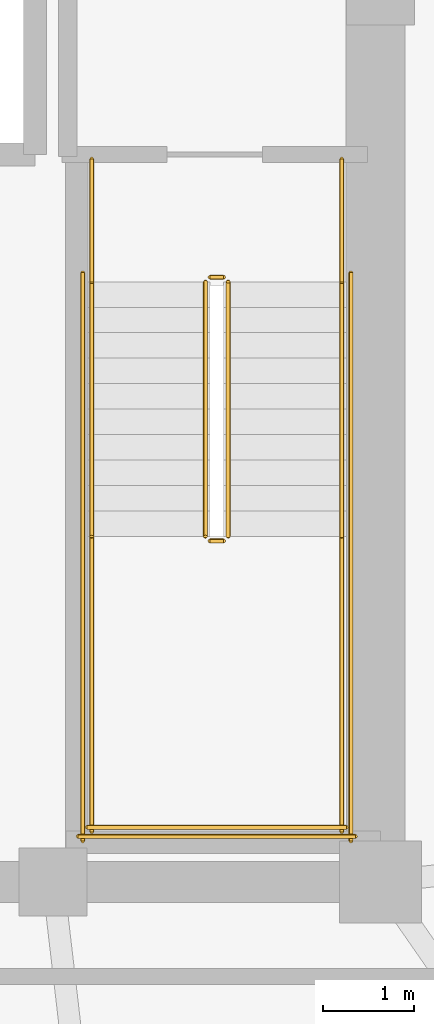
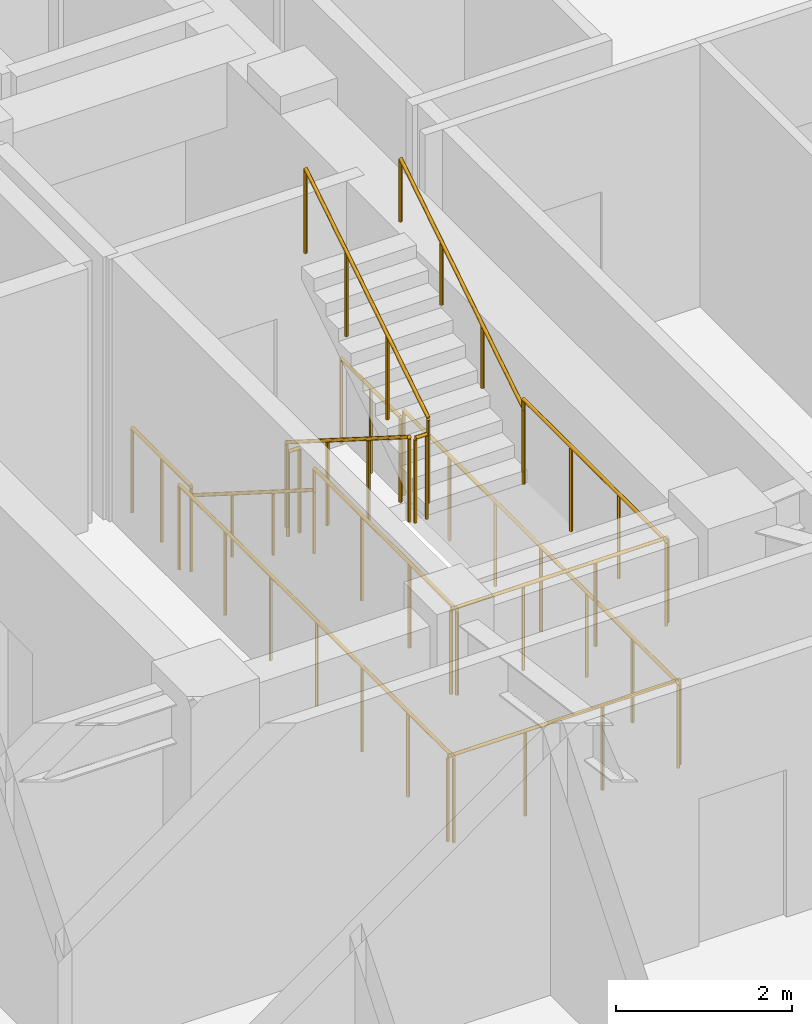
# One storey, part 29 of 29: 14 railings.
"""IFC4 building model written with IfcOpenShell, lengths in metres."""

from ifc_helpers import new_model, si_unit, direction, frame, origin, origin_2d, place, context, subcontext, project, spatial, circle, extrude, material, type_object, element, save


model = new_model("IFC4")

# Units and contexts
model_context = context("Model", 3, precision=1e-05, world=origin(), true_north=direction((0.0, 1.0)))
body_context = subcontext(model_context, "Body", "Model", "MODEL_VIEW")
ifc_project = project(units=[si_unit("LENGTHUNIT", "METRE"), si_unit("AREAUNIT", "SQUARE_METRE"), si_unit("VOLUMEUNIT", "CUBIC_METRE"), si_unit("PLANEANGLEUNIT", "RADIAN"), si_unit("MASSUNIT", "GRAM", prefix="KILO")], contexts=[model_context])

# Site, building, storey
site_placement = place(None, origin())
site = spatial("IfcSite", under=ifc_project, at=site_placement, CompositionType="ELEMENT")
building_placement = place(site_placement, origin())
building = spatial("IfcBuilding", under=site, at=building_placement, Name="Voryun Gate Residences", CompositionType="ELEMENT")
storey_placement = place(building_placement, frame((0.0, 0.0, 211.89990234375)))
storey = spatial("IfcBuildingStorey", under=building, at=storey_placement, Name="L52", CompositionType="ELEMENT", Elevation=211.89990234375)

# Railings
ifc_material_1 = material(Name="Painted steel", Category="steel")
railing_type_1 = type_object("IfcRailingType", Name="RAIL_STAIR_GUARD_1200", PredefinedType="GUARDRAIL", material=ifc_material_1)
railing_1_placement = place(storey_placement, frame((17.27490234375, -0.800048828125, 0.177490234375)))
element("IfcRailing", 1, at=railing_1_placement, inside=storey, type_object=railing_type_1, Name="L52 ST-E1 stair guard 1", PredefinedType="GUARDRAIL", context=body_context, shape_type="SweptSolid", body=[
    extrude(circle(Radius=0.02392578125, at=origin_2d()), frame((0.0, 0.0, 1.17578125), z_axis=(0.0, -0.844908973607, 0.534910110503), x_axis=(1.0, 0.0, 0.0)), (0.0, 0.0, 1.0), 3.31396484375),
    extrude(circle(Radius=0.02099609375, at=origin_2d()), origin(), (0.0, 0.0, 1.0), 1.15185546875),
    extrude(circle(Radius=0.02099609375, at=origin_2d()), frame((0.0, -0.933349609375, 0.5908203125)), (0.0, 0.0, 1.0), 1.15185546875),
    extrude(circle(Radius=0.02099609375, at=origin_2d()), frame((0.0, -1.86669921875, 1.181884765625)), (0.0, 0.0, 1.0), 1.15185546875),
    extrude(circle(Radius=0.02099609375, at=origin_2d()), frame((0.0, -2.800048828125, 1.772705078125)), (0.0, 0.0, 1.0), 1.15185546875),
])
railing_2_placement = place(storey_placement, frame((17.324951171875, -3.64990234375, 1.9501953125)))
element("IfcRailing", 2, at=railing_2_placement, inside=storey, type_object=railing_type_1, Name="L52 ST-E1 stair guard 2", PredefinedType="GUARDRAIL", context=body_context, shape_type="SweptSolid", body=[
    extrude(circle(Radius=0.02392578125, at=origin_2d()), frame((0.0, 0.0, 1.17578125), z_axis=(1.0, 0.0, 0.0), x_axis=(0.0, 1.0, 0.0)), (0.0, 0.0, 1.0), 0.150146484375),
    extrude(circle(Radius=0.02099609375, at=origin_2d()), origin(), (0.0, 0.0, 1.0), 1.15185546875),
    extrude(circle(Radius=0.02099609375, at=origin_2d()), frame((0.150146484375, 0.0, 0.0)), (0.0, 0.0, 1.0), 1.15185546875),
])
for number, where, name in (
    (3, (16.02490234375, -3.60009765625, 1.9501953125), "L52 ST-E1 stair guard 3"),
    (4, (18.77490234375, -3.60009765625, 1.9501953125), "L52 ST-E1 stair guard 4"),
):
    element("IfcRailing", number, at=place(storey_placement, frame(where)), inside=storey, type_object=railing_type_1, Name=name, PredefinedType="GUARDRAIL", context=body_context, shape_type="SweptSolid", body=[
        extrude(circle(Radius=0.02392578125, at=origin_2d()), frame((0.0, 0.0, 1.17578125), z_axis=(0.0, -1.0, 0.0), x_axis=(1.0, 0.0, 0.0)), (0.0, 0.0, 1.0), 3.25),
        extrude(circle(Radius=0.02099609375, at=origin_2d()), origin(), (0.0, 0.0, 1.0), 1.15185546875),
        extrude(circle(Radius=0.02099609375, at=origin_2d()), frame((0.0, -1.083251953125, 0.0)), (0.0, 0.0, 1.0), 1.15185546875),
        extrude(circle(Radius=0.02099609375, at=origin_2d()), frame((0.0, -2.166748046875, 0.0)), (0.0, 0.0, 1.0), 1.15185546875),
        extrude(circle(Radius=0.02099609375, at=origin_2d()), frame((0.0, -3.25, 0.0)), (0.0, 0.0, 1.0), 1.15185546875),
    ])
railing_3_placement = place(storey_placement, frame((15.97509765625, -6.800048828125, 1.9501953125)))
element("IfcRailing", 5, at=railing_3_placement, inside=storey, type_object=railing_type_1, Name="L52 ST-E1 stair guard 5", PredefinedType="GUARDRAIL", context=body_context, shape_type="SweptSolid", body=[
    extrude(circle(Radius=0.02392578125, at=origin_2d()), frame((0.0, 0.0, 1.17578125), z_axis=(1.0, 0.0, 0.0), x_axis=(0.0, 1.0, 0.0)), (0.0, 0.0, 1.0), 2.849853515625),
    extrude(circle(Radius=0.02099609375, at=origin_2d()), origin(), (0.0, 0.0, 1.0), 1.15185546875),
    extrude(circle(Radius=0.02099609375, at=origin_2d()), frame((0.949951171875, 0.0, 0.0)), (0.0, 0.0, 1.0), 1.15185546875),
    extrude(circle(Radius=0.02099609375, at=origin_2d()), frame((1.89990234375, 0.0, 0.0)), (0.0, 0.0, 1.0), 1.15185546875),
    extrude(circle(Radius=0.02099609375, at=origin_2d()), frame((2.849853515625, 0.0, 0.0)), (0.0, 0.0, 1.0), 1.15185546875),
])
railing_4_placement = place(storey_placement, frame((17.52490234375, -3.60009765625, 2.12744140625)))
element("IfcRailing", 6, at=railing_4_placement, inside=storey, type_object=railing_type_1, Name="L52 ST-E1 stair guard 6", PredefinedType="GUARDRAIL", context=body_context, shape_type="SweptSolid", body=[
    extrude(circle(Radius=0.02392578125, at=origin_2d()), frame((0.0, 0.0, 1.17578125), z_axis=(0.0, 0.844908973607, 0.534910110503), x_axis=(-1.0, 0.0, 0.0)), (0.0, 0.0, 1.0), 3.31396484375),
    extrude(circle(Radius=0.02099609375, at=origin_2d()), origin(), (0.0, 0.0, 1.0), 1.15185546875),
    extrude(circle(Radius=0.02099609375, at=origin_2d()), frame((0.0, 0.933349609375, 0.5908203125)), (0.0, 0.0, 1.0), 1.15185546875),
    extrude(circle(Radius=0.02099609375, at=origin_2d()), frame((0.0, 1.86669921875, 1.181884765625)), (0.0, 0.0, 1.0), 1.15185546875),
    extrude(circle(Radius=0.02099609375, at=origin_2d()), frame((0.0, 2.800048828125, 1.772705078125)), (0.0, 0.0, 1.0), 1.15185546875),
])
railing_5_placement = place(storey_placement, frame((17.324951171875, -0.75, 0.0)))
element("IfcRailing", 7, at=railing_5_placement, inside=storey, type_object=railing_type_1, Name="L52 ST-E1 stair guard 7", PredefinedType="GUARDRAIL", context=body_context, shape_type="SweptSolid", body=[
    extrude(circle(Radius=0.02392578125, at=origin_2d()), frame((0.0, 0.0, 1.17578125), z_axis=(1.0, 0.0, 0.0), x_axis=(0.0, 1.0, 0.0)), (0.0, 0.0, 1.0), 0.150146484375),
    extrude(circle(Radius=0.02099609375, at=origin_2d()), origin(), (0.0, 0.0, 1.0), 1.15185546875),
    extrude(circle(Radius=0.02099609375, at=origin_2d()), frame((0.150146484375, 0.0, 0.0)), (0.0, 0.0, 1.0), 1.15185546875),
])
for number, where, name in (
    (8, (16.02490234375, 0.550048828125, 0.0), "L52 ST-E1 stair guard 8"),
    (9, (18.77490234375, 0.550048828125, 0.0), "L52 ST-E1 stair guard 9"),
):
    element("IfcRailing", number, at=place(storey_placement, frame(where)), inside=storey, type_object=railing_type_1, Name=name, PredefinedType="GUARDRAIL", context=body_context, shape_type="SweptSolid", body=[
        extrude(circle(Radius=0.02392578125, at=origin_2d()), frame((0.0, 0.0, 1.17578125), z_axis=(0.0, -1.0, 0.0), x_axis=(1.0, 0.0, 0.0)), (0.0, 0.0, 1.0), 1.35009765625),
        extrude(circle(Radius=0.02099609375, at=origin_2d()), origin(), (0.0, 0.0, 1.0), 1.15185546875),
        extrude(circle(Radius=0.02099609375, at=origin_2d()), frame((0.0, -0.675048828125, 0.0)), (0.0, 0.0, 1.0), 1.15185546875),
        extrude(circle(Radius=0.02099609375, at=origin_2d()), frame((0.0, -1.35009765625, 0.0)), (0.0, 0.0, 1.0), 1.15185546875),
    ])
for number, where, name in (
    (10, (15.925048828125, -0.699951171875, 0.0), "L52 ST-E1 stair guard 10"),
    (11, (18.875, -0.699951171875, 0.0), "L52 ST-E1 stair guard 11"),
):
    element("IfcRailing", number, at=place(storey_placement, frame(where)), inside=storey, type_object=railing_type_1, Name=name, PredefinedType="GUARDRAIL", context=body_context, shape_type="SweptSolid", body=[
        extrude(circle(Radius=0.02392578125, at=origin_2d()), frame((0.0, 0.0, 1.17578125), z_axis=(0.0, -1.0, 0.0), x_axis=(1.0, 0.0, 0.0)), (0.0, 0.0, 1.0), 6.25),
        extrude(circle(Radius=0.02099609375, at=origin_2d()), origin(), (0.0, 0.0, 1.0), 1.15185546875),
        extrude(circle(Radius=0.02099609375, at=origin_2d()), frame((0.0, -1.041748046875, 0.0)), (0.0, 0.0, 1.0), 1.15185546875),
        extrude(circle(Radius=0.02099609375, at=origin_2d()), frame((0.0, -2.083251953125, 0.0)), (0.0, 0.0, 1.0), 1.15185546875),
        extrude(circle(Radius=0.02099609375, at=origin_2d()), frame((0.0, -3.125, 0.0)), (0.0, 0.0, 1.0), 1.15185546875),
        extrude(circle(Radius=0.02099609375, at=origin_2d()), frame((0.0, -4.166748046875, 0.0)), (0.0, 0.0, 1.0), 1.15185546875),
        extrude(circle(Radius=0.02099609375, at=origin_2d()), frame((0.0, -5.208251953125, 0.0)), (0.0, 0.0, 1.0), 1.15185546875),
        extrude(circle(Radius=0.02099609375, at=origin_2d()), frame((0.0, -6.25, 0.0)), (0.0, 0.0, 1.0), 1.15185546875),
    ])
railing_6_placement = place(storey_placement, frame((15.875, -6.89990234375, 0.0)))
element("IfcRailing", 12, at=railing_6_placement, inside=storey, type_object=railing_type_1, Name="L52 ST-E1 stair guard 12", PredefinedType="GUARDRAIL", context=body_context, shape_type="SweptSolid", body=[
    extrude(circle(Radius=0.02392578125, at=origin_2d()), frame((0.0, 0.0, 1.17578125), z_axis=(1.0, 0.0, 0.0), x_axis=(0.0, 1.0, 0.0)), (0.0, 0.0, 1.0), 3.050048828125),
    extrude(circle(Radius=0.02099609375, at=origin_2d()), origin(), (0.0, 0.0, 1.0), 1.15185546875),
    extrude(circle(Radius=0.02099609375, at=origin_2d()), frame((1.0166015625, 0.0, 0.0)), (0.0, 0.0, 1.0), 1.15185546875),
    extrude(circle(Radius=0.02099609375, at=origin_2d()), frame((2.033447265625, 0.0, 0.0)), (0.0, 0.0, 1.0), 1.15185546875),
    extrude(circle(Radius=0.02099609375, at=origin_2d()), frame((3.050048828125, 0.0, 0.0)), (0.0, 0.0, 1.0), 1.15185546875),
])
ifc_material_2 = material(Name="Painted steel", Category="steel")
railing_type_2 = type_object("IfcRailingType", Name="RAIL_STAIR_HANDRAIL_900", PredefinedType="HANDRAIL", material=ifc_material_2)
railing_7_placement = place(storey_placement, frame((16.02490234375, -0.800048828125, 0.177490234375)))
element("IfcRailing", 13, at=railing_7_placement, inside=storey, type_object=railing_type_2, Name="L52 ST-E1 stair handrail 1", PredefinedType="HANDRAIL", context=body_context, shape_type="SweptSolid", body=[
    extrude(circle(Radius=0.02392578125, at=origin_2d()), frame((0.0, 0.0, 0.8759765625), z_axis=(0.0, -0.844908973607, 0.534910110503), x_axis=(1.0, 0.0, 0.0)), (0.0, 0.0, 1.0), 3.31396484375),
    extrude(circle(Radius=0.02099609375, at=origin_2d()), origin(), (0.0, 0.0, 1.0), 0.851806640625),
    extrude(circle(Radius=0.02099609375, at=origin_2d()), frame((0.0, -0.933349609375, 0.5908203125)), (0.0, 0.0, 1.0), 0.851806640625),
    extrude(circle(Radius=0.02099609375, at=origin_2d()), frame((0.0, -1.86669921875, 1.181884765625)), (0.0, 0.0, 1.0), 0.851806640625),
    extrude(circle(Radius=0.02099609375, at=origin_2d()), frame((0.0, -2.800048828125, 1.772705078125)), (0.0, 0.0, 1.0), 0.851806640625),
])
railing_8_placement = place(storey_placement, frame((18.77490234375, -3.60009765625, 2.12744140625)))
element("IfcRailing", 14, at=railing_8_placement, inside=storey, type_object=railing_type_2, Name="L52 ST-E1 stair handrail 2", PredefinedType="HANDRAIL", context=body_context, shape_type="SweptSolid", body=[
    extrude(circle(Radius=0.02392578125, at=origin_2d()), frame((0.0, 0.0, 0.8759765625), z_axis=(0.0, 0.844908973607, 0.534910110503), x_axis=(-1.0, 0.0, 0.0)), (0.0, 0.0, 1.0), 3.31396484375),
    extrude(circle(Radius=0.02099609375, at=origin_2d()), origin(), (0.0, 0.0, 1.0), 0.851806640625),
    extrude(circle(Radius=0.02099609375, at=origin_2d()), frame((0.0, 0.933349609375, 0.5908203125)), (0.0, 0.0, 1.0), 0.851806640625),
    extrude(circle(Radius=0.02099609375, at=origin_2d()), frame((0.0, 1.86669921875, 1.181884765625)), (0.0, 0.0, 1.0), 0.851806640625),
    extrude(circle(Radius=0.02099609375, at=origin_2d()), frame((0.0, 2.800048828125, 1.772705078125)), (0.0, 0.0, 1.0), 0.851806640625),
])

save(model, "model.ifc")
